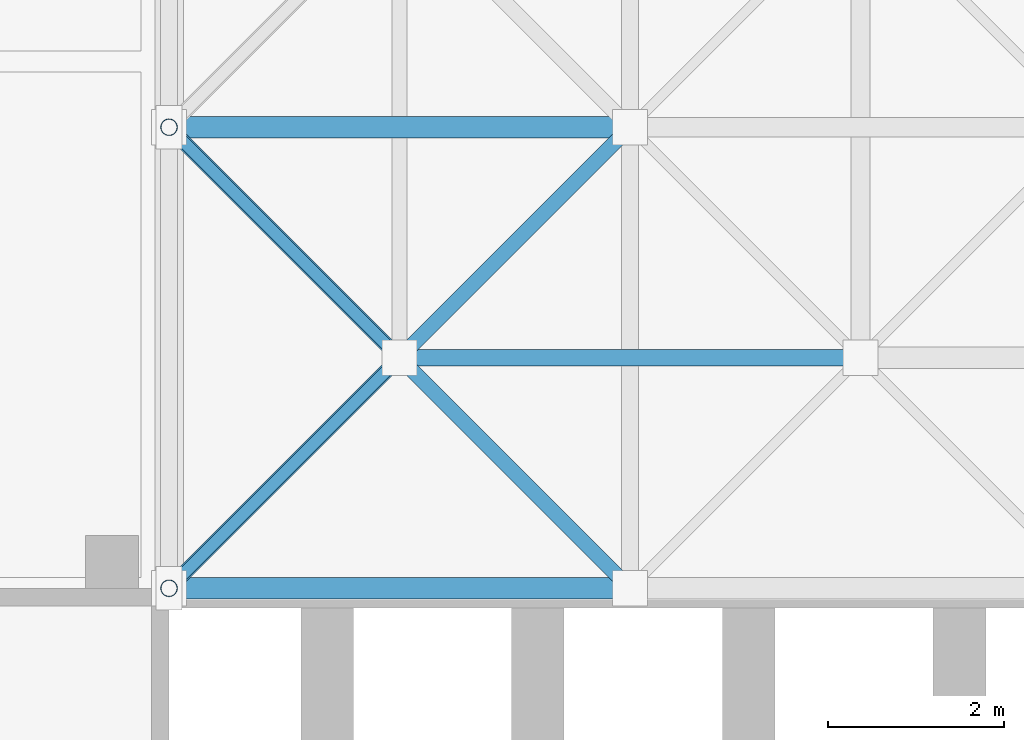
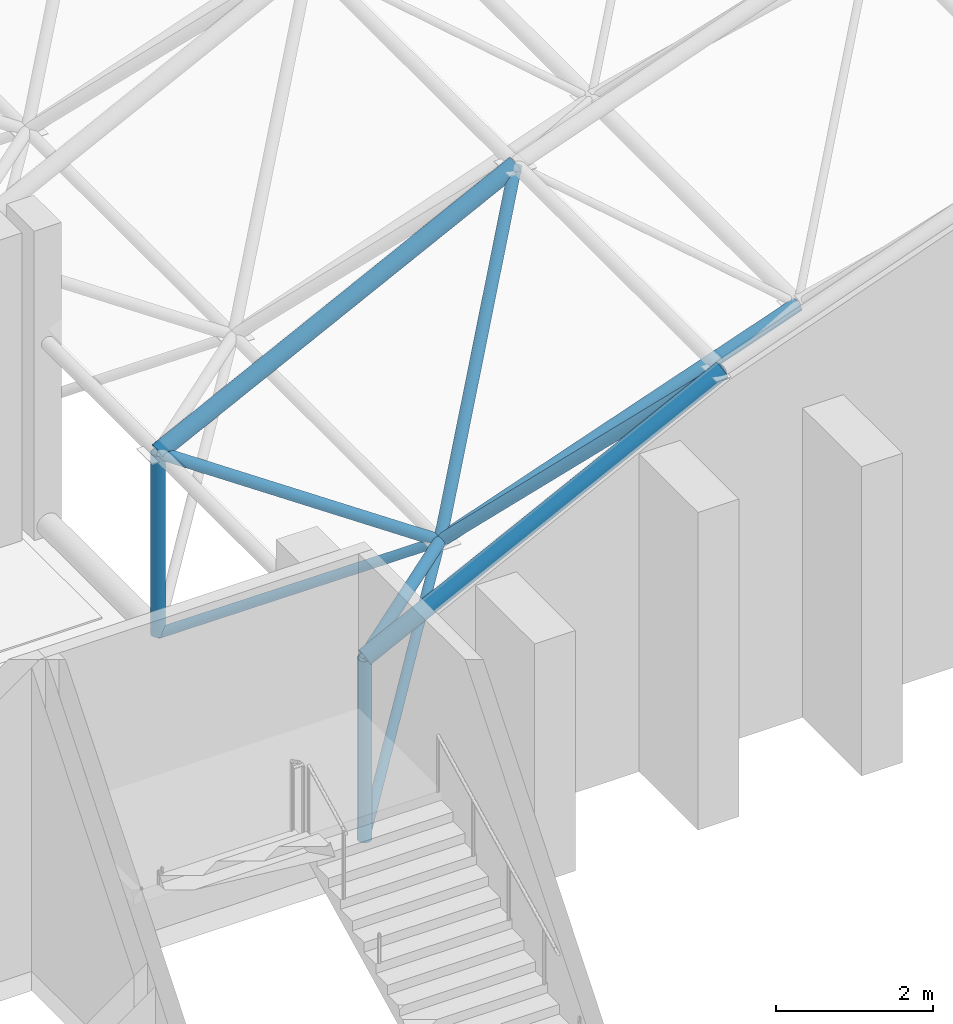
# One storey, part 7 of 100: 11 members.
"""IFC4 building model written with IfcOpenShell, lengths in metres."""

from ifc_helpers import new_model, si_unit, direction, frame, origin, origin_2d, place, context, subcontext, project, spatial, hollow_circle, extrude, material, material_profile, profile_set, type_object, element, save


model = new_model("IFC4")

# Units and contexts
model_context = context("Model", 3, precision=1e-05, world=origin(), true_north=direction((0.0, 1.0)))
body_context = subcontext(model_context, "Body", "Model", "MODEL_VIEW")
ifc_project = project(units=[si_unit("LENGTHUNIT", "METRE"), si_unit("AREAUNIT", "SQUARE_METRE"), si_unit("VOLUMEUNIT", "CUBIC_METRE"), si_unit("PLANEANGLEUNIT", "RADIAN"), si_unit("MASSUNIT", "GRAM", prefix="KILO")], contexts=[model_context])

# Site, building, storey
site_placement = place(None, origin())
site = spatial("IfcSite", under=ifc_project, at=site_placement, CompositionType="ELEMENT")
building_placement = place(site_placement, origin())
building = spatial("IfcBuilding", under=site, at=building_placement, Name="Kiln Court Media Centre", CompositionType="ELEMENT")
storey_placement = place(building_placement, frame((0.0, 0.0, 15.0)))
storey = spatial("IfcBuildingStorey", under=building, at=storey_placement, Name="L03", CompositionType="ELEMENT", Elevation=15.0)

# Members
ifc_material_1 = material(Name="Steel ASTM A500 Gr C", Category="steel")
ifc_material_profile_1 = material_profile(ifc_material_1, hollow_circle(Radius=0.06982421875, WallThickness=0.0048828125, at=origin_2d()), Name="CHS 139.7x5.0")
ifc_profile_set_1 = profile_set([ifc_material_profile_1], Name="Steel ASTM A500 Gr C")
member_type_1 = type_object("IfcMemberType", Name="Steel ASTM A500 Gr C CHS 139.7x5.0 space frame brace", PredefinedType="BRACE", material=ifc_profile_set_1)
for number, where, z_axis, x_axis, name in (
    (1, (58.800048828125, 25.199951171875, 0.18994140625), (0.614895163376, 0.614895163376, 0.493769051394), (-0.707106781187, 0.707106781187, 0.0), "V1 roof bearing tie first 1 space frame brace"),
    (2, (58.800048828125, 30.449951171875, 0.18994140625), (0.614895163376, -0.614895163376, 0.493769051394), (0.707106781187, 0.707106781187, 0.0), "V1 roof bearing tie first 2 space frame brace"),
):
    element("IfcMember", number, at=place(storey_placement, frame(where, z_axis=z_axis, x_axis=x_axis)), inside=storey, type_object=member_type_1, Name=name, PredefinedType="BRACE", context=body_context, shape_type="SweptSolid", body=[
        extrude(hollow_circle(Radius=0.06982421875, WallThickness=0.0048828125, at=origin_2d()), origin(), (0.0, 0.0, 1.0), 4.26904296875),
    ])
ifc_material_2 = material(Name="Steel ASTM A500 Gr C", Category="steel")
ifc_material_profile_2 = material_profile(ifc_material_2, hollow_circle(Radius=0.084228515625, WallThickness=0.00634765625, at=origin_2d()), Name="CHS 168.3x6.3")
ifc_profile_set_2 = profile_set([ifc_material_profile_2], Name="Steel ASTM A500 Gr C")
member_type_2 = type_object("IfcMemberType", Name="Steel ASTM A500 Gr C CHS 168.3x6.3 space frame brace", PredefinedType="BRACE", material=ifc_profile_set_2)
member_1_placement = place(storey_placement, frame((61.425048828125, 27.824951171875, 2.2978515625), z_axis=(-0.694788256549, -0.694788256549, 0.185845519516), x_axis=(0.707106781187, -0.707106781187, 0.0)))
element("IfcMember", 3, at=member_1_placement, inside=storey, type_object=member_type_2, Name="V1 roof diagonal 1-1 space frame brace", PredefinedType="BRACE", context=body_context, shape_type="SweptSolid", body=[
    extrude(hollow_circle(Radius=0.084228515625, WallThickness=0.00634765625, at=origin_2d()), origin(), (0.0, 0.0, 1.0), 3.778076171875),
])
member_2_placement = place(storey_placement, frame((61.425048828125, 27.824951171875, 2.2978515625), z_axis=(0.526569761857, -0.526569761857, 0.667419337295), x_axis=(0.707106781187, 0.707106781187, 0.0)))
element("IfcMember", 4, at=member_2_placement, inside=storey, type_object=member_type_2, Name="V1 roof diagonal 1-1 space frame brace", PredefinedType="BRACE", context=body_context, shape_type="SweptSolid", body=[
    extrude(hollow_circle(Radius=0.084228515625, WallThickness=0.00634765625, at=origin_2d()), origin(), (0.0, 0.0, 1.0), 4.985107421875),
])
member_3_placement = place(storey_placement, frame((61.425048828125, 27.824951171875, 2.2978515625), z_axis=(-0.694788256549, 0.694788256549, 0.185845519516), x_axis=(-0.707106781187, -0.707106781187, 0.0)))
element("IfcMember", 5, at=member_3_placement, inside=storey, type_object=member_type_2, Name="V1 roof diagonal 1-1 space frame brace", PredefinedType="BRACE", context=body_context, shape_type="SweptSolid", body=[
    extrude(hollow_circle(Radius=0.084228515625, WallThickness=0.00634765625, at=origin_2d()), origin(), (0.0, 0.0, 1.0), 3.778076171875),
])
member_4_placement = place(storey_placement, frame((61.425048828125, 27.824951171875, 2.2978515625), z_axis=(0.526569761857, 0.526569761857, 0.667419337295), x_axis=(-0.707106781187, 0.707106781187, 0.0)))
element("IfcMember", 6, at=member_4_placement, inside=storey, type_object=member_type_2, Name="V1 roof diagonal 1-1 space frame brace", PredefinedType="BRACE", context=body_context, shape_type="SweptSolid", body=[
    extrude(hollow_circle(Radius=0.084228515625, WallThickness=0.00634765625, at=origin_2d()), origin(), (0.0, 0.0, 1.0), 4.985107421875),
])
ifc_material_3 = material(Name="Steel ASTM A500 Gr C", Category="steel")
ifc_material_profile_3 = material_profile(ifc_material_3, hollow_circle(Radius=0.096923828125, WallThickness=0.008056640625, at=origin_2d()), Name="CHS 193.7x8.0")
ifc_profile_set_3 = profile_set([ifc_material_profile_3], Name="Steel ASTM A500 Gr C")
member_type_3 = type_object("IfcMemberType", Name="Steel ASTM A500 Gr C CHS 193.7x8.0 space frame chord", PredefinedType="CHORD", material=ifc_profile_set_3)
member_5_placement = place(storey_placement, frame((61.425048828125, 27.824951171875, 2.2978515625), z_axis=(0.943959597571, 0.0, 0.330061021863), x_axis=(0.0, 1.0, 0.0)))
element("IfcMember", 7, at=member_5_placement, inside=storey, type_object=member_type_3, Name="V1 roof bottom chord across line 1 space frame chord", PredefinedType="CHORD", context=body_context, shape_type="SweptSolid", body=[
    extrude(hollow_circle(Radius=0.096923828125, WallThickness=0.008056640625, at=origin_2d()), origin(), (0.0, 0.0, 1.0), 5.561767578125),
])
ifc_material_4 = material(Name="Steel ASTM A500 Gr C", Category="steel")
ifc_material_profile_4 = material_profile(ifc_material_4, hollow_circle(Radius=0.096923828125, WallThickness=0.008056640625, at=origin_2d()), Name="CHS 193.7x8.0")
ifc_profile_set_4 = profile_set([ifc_material_profile_4], Name="Steel ASTM A500 Gr C")
member_type_4 = type_object("IfcMemberType", Name="Steel ASTM A500 Gr C CHS 193.7x8.0 space frame strut", PredefinedType="STRUT", material=ifc_profile_set_4)
for number, where, z_axis, x_axis, name in (
    (8, (58.800048828125, 25.199951171875, 0.18994140625), (0.0, 0.0, 1.0), (1.0, 0.0, 0.0), "V1 roof bearing post first 1 space frame strut"),
    (9, (58.800048828125, 30.449951171875, 0.18994140625), (0.0, 0.0, 1.0), (1.0, 0.0, 0.0), "V1 roof bearing post first 2 space frame strut"),
):
    element("IfcMember", number, at=place(storey_placement, frame(where, z_axis=z_axis, x_axis=x_axis)), inside=storey, type_object=member_type_4, Name=name, PredefinedType="STRUT", context=body_context, shape_type="SweptSolid", body=[
        extrude(hollow_circle(Radius=0.096923828125, WallThickness=0.008056640625, at=origin_2d()), origin(), (0.0, 0.0, 1.0), 2.81005859375),
    ])
ifc_material_5 = material(Name="Steel ASTM A500 Gr C", Category="steel")
ifc_material_profile_5 = material_profile(ifc_material_5, hollow_circle(Radius=0.122314453125, WallThickness=0.010009765625, at=origin_2d()), Name="CHS 244.5x10.0")
ifc_profile_set_5 = profile_set([ifc_material_profile_5], Name="Steel ASTM A500 Gr C")
member_type_5 = type_object("IfcMemberType", Name="Steel ASTM A500 Gr C CHS 244.5x10.0 space frame chord", PredefinedType="CHORD", material=ifc_profile_set_5)
for number, where, z_axis, x_axis, name in (
    (10, (58.800048828125, 25.199951171875, 3.0), (0.894427191, 0.0, 0.4472135955), (0.0, 1.0, 0.0), "V1 roof top chord across line 1 space frame chord"),
    (11, (58.800048828125, 30.449951171875, 3.0), (0.894427191, 0.0, 0.4472135955), (0.0, 1.0, 0.0), "V1 roof top chord across line 2 space frame chord"),
):
    element("IfcMember", number, at=place(storey_placement, frame(where, z_axis=z_axis, x_axis=x_axis)), inside=storey, type_object=member_type_5, Name=name, PredefinedType="CHORD", context=body_context, shape_type="SweptSolid", body=[
        extrude(hollow_circle(Radius=0.122314453125, WallThickness=0.010009765625, at=origin_2d()), origin(), (0.0, 0.0, 1.0), 5.86962890625),
    ])

save(model, "model.ifc")
